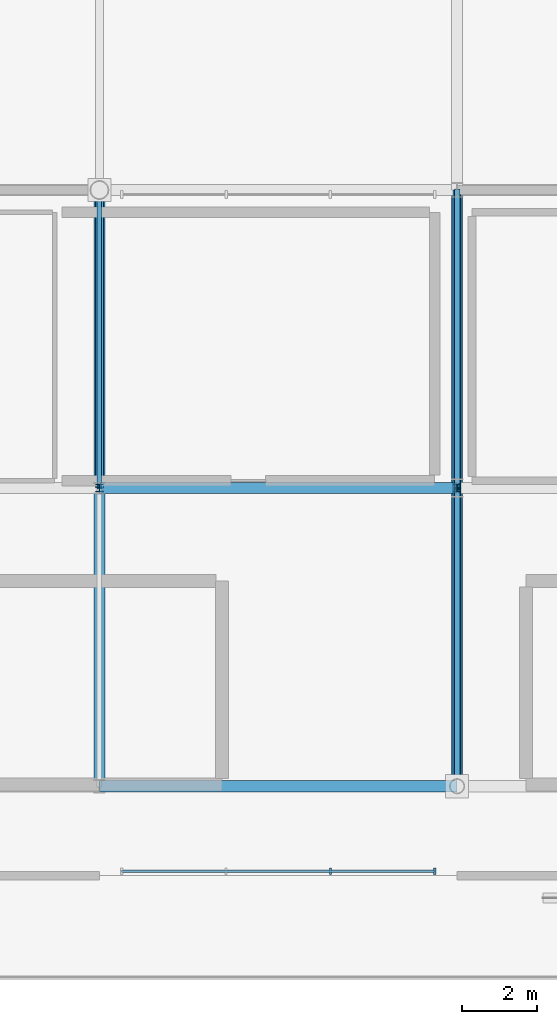
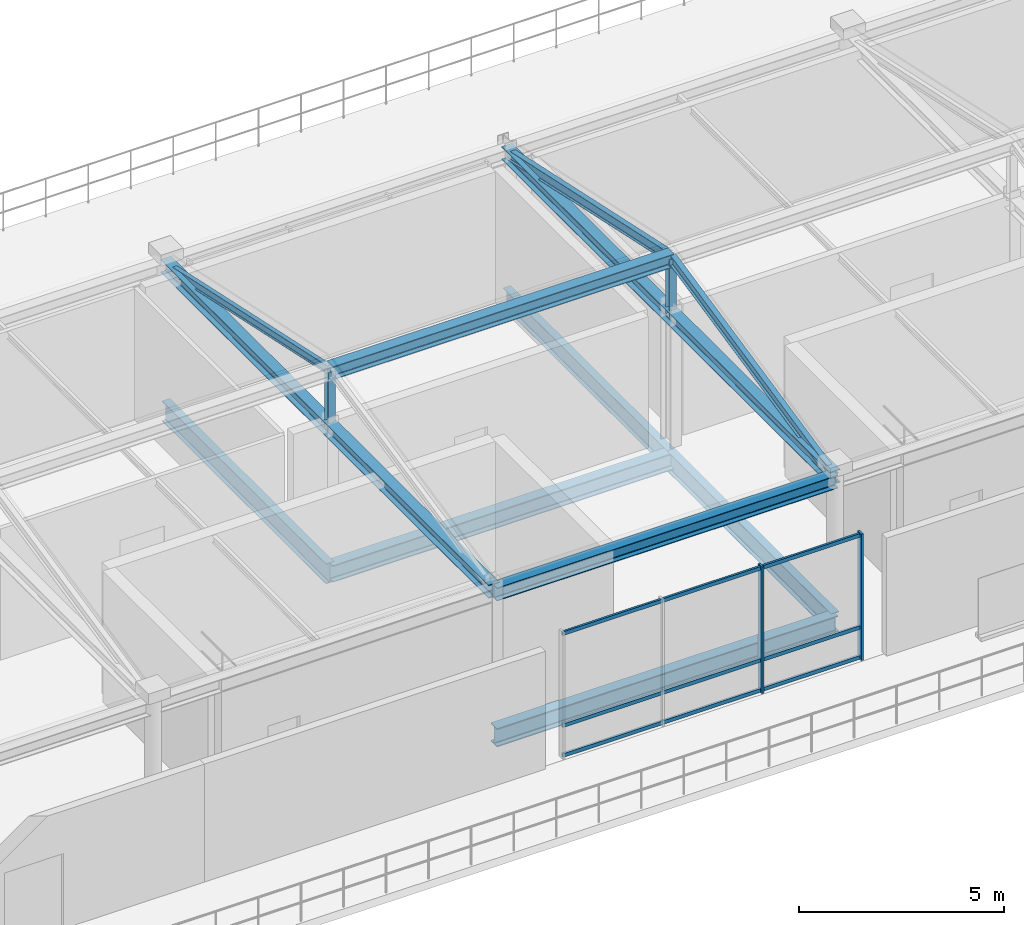
# One storey, part 8 of 26: 10 members, 9 beams, 1 element without a shape of its own.
"""IFC4 building model written with IfcOpenShell, lengths in metres."""

from ifc_helpers import new_model, si_unit, direction, frame, origin, origin_2d, place, context, subcontext, project, spatial, rectangle, i_section, extrude, material, material_profile, profile_set, type_object, element, aggregate, save


model = new_model("IFC4")

# Units and contexts
model_context = context("Model", 3, precision=1e-05, world=origin(), true_north=direction((0.0, 1.0)))
body_context = subcontext(model_context, "Body", "Model", "MODEL_VIEW")
ifc_project = project(units=[si_unit("LENGTHUNIT", "METRE"), si_unit("AREAUNIT", "SQUARE_METRE"), si_unit("VOLUMEUNIT", "CUBIC_METRE"), si_unit("PLANEANGLEUNIT", "RADIAN"), si_unit("MASSUNIT", "GRAM", prefix="KILO")], contexts=[model_context])

# Site, building, storey
site_placement = place(None, origin())
site = spatial("IfcSite", under=ifc_project, at=site_placement, CompositionType="ELEMENT")
building_placement = place(site_placement, origin())
building = spatial("IfcBuilding", under=site, at=building_placement, Name="Danafjord Basin Convention Centre", CompositionType="ELEMENT")
storey_placement = place(building_placement, frame((0.0, 0.0, 29.39990234375)))
storey = spatial("IfcBuildingStorey", under=building, at=storey_placement, Name="RF", CompositionType="ELEMENT", Elevation=29.39990234375)

# Beams
ifc_material_1 = material(Name="Steel S355", Category="steel")
ifc_material_profile_1 = material_profile(ifc_material_1, i_section(OverallWidth=0.300048828125, OverallDepth=0.389892578125, WebThickness=0.010986328125, FlangeThickness=0.01904296875, FilletRadius=0.027099609375, at=origin_2d()), Name="HEA 400")
ifc_profile_set_1 = profile_set([ifc_material_profile_1], Name="Steel S355")
beam_type_1 = type_object("IfcBeamType", Name="BEAM-BM-HEA400", PredefinedType="BEAM", material=ifc_profile_set_1)
for number, where, z_axis, x_axis, name in (
    (1, (57.60009765625, 16.0, 3.800048828125), (0.0, 1.0, 0.0), (-1.0, 0.0, 0.0), "Observatory transverse tie beam"),
    (2, (67.199951171875, 16.0, 3.800048828125), (0.0, 1.0, 0.0), (-1.0, 0.0, 0.0), "Observatory transverse tie beam"),
):
    element("IfcBeam", number, at=place(storey_placement, frame(where, z_axis=z_axis, x_axis=x_axis)), inside=storey, type_object=beam_type_1, Name=name, PredefinedType="BEAM", context=body_context, shape_type="SweptSolid", body=[
        extrude(i_section(OverallWidth=0.300048828125, OverallDepth=0.389892578125, WebThickness=0.010986328125, FlangeThickness=0.01904296875, FilletRadius=0.027099609375, at=origin_2d()), origin(), (0.0, 0.0, 1.0), 16.0),
    ])
for number, where, z_axis, x_axis, name in (
    (3, (57.60009765625, 16.0, 3.760009765625), (1.0, 0.0, 0.0), (0.0, 1.0, 0.0), "Observatory south eave girder"),
    (4, (57.60009765625, 24.0, 5.48974609375), (1.0, 0.0, 0.0), (0.0, 1.0, 0.0), "Observatory ridge beam"),
):
    element("IfcBeam", number, at=place(storey_placement, frame(where, z_axis=z_axis, x_axis=x_axis)), inside=storey, type_object=beam_type_1, Name=name, PredefinedType="BEAM", context=body_context, shape_type="SweptSolid", body=[
        extrude(i_section(OverallWidth=0.300048828125, OverallDepth=0.389892578125, WebThickness=0.010986328125, FlangeThickness=0.01904296875, FilletRadius=0.027099609375, at=origin_2d()), origin(), (0.0, 0.0, 1.0), 9.599853515625),
    ])
ifc_material_profile_2 = material_profile(ifc_material_1, i_section(OverallWidth=0.300048828125, OverallDepth=0.5, WebThickness=0.014404296875, FlangeThickness=0.028076171875, FilletRadius=0.027099609375, at=origin_2d()), Name="HEB 500")
ifc_profile_set_2 = profile_set([ifc_material_profile_2], Name="Steel S355")
beam_type_2 = type_object("IfcBeamType", Name="BEAM-BM-HEB500", PredefinedType="BEAM", material=ifc_profile_set_2)
beam_1_placement = place(storey_placement, frame((57.60009765625, 24.0, -0.47998046875), z_axis=(1.0, 0.0, 0.0), x_axis=(0.0, 1.0, 0.0)))
element("IfcBeam", 5, at=beam_1_placement, inside=storey, type_object=beam_type_2, Name="RF girder BM-HEB500", PredefinedType="BEAM", context=body_context, shape_type="SweptSolid", body=[
    extrude(i_section(OverallWidth=0.300048828125, OverallDepth=0.5, WebThickness=0.014404296875, FlangeThickness=0.028076171875, FilletRadius=0.027099609375, at=origin_2d()), origin(), (0.0, 0.0, 1.0), 9.599853515625),
])
ifc_material_profile_3 = material_profile(ifc_material_1, i_section(OverallWidth=0.300048828125, OverallDepth=0.550048828125, WebThickness=0.014892578125, FlangeThickness=0.029052734375, FilletRadius=0.027099609375, at=origin_2d()), Name="HEB 550")
ifc_profile_set_3 = profile_set([ifc_material_profile_3], Name="Steel S355")
beam_type_3 = type_object("IfcBeamType", Name="BEAM-BM-HEB550", PredefinedType="BEAM", material=ifc_profile_set_3)
beam_2_placement = place(storey_placement, frame((57.60009765625, 16.0, -0.5048828125), z_axis=(1.0, 0.0, 0.0), x_axis=(0.0, 1.0, 0.0)))
element("IfcBeam", 6, at=beam_2_placement, inside=storey, type_object=beam_type_3, Name="RF girder BM-HEB550", PredefinedType="BEAM", context=body_context, shape_type="SweptSolid", body=[
    extrude(i_section(OverallWidth=0.300048828125, OverallDepth=0.550048828125, WebThickness=0.014892578125, FlangeThickness=0.029052734375, FilletRadius=0.027099609375, at=origin_2d()), origin(), (0.0, 0.0, 1.0), 9.599853515625),
])
ifc_material_profile_4 = material_profile(ifc_material_1, i_section(OverallWidth=0.2099609375, OverallDepth=0.550048828125, WebThickness=0.010986328125, FlangeThickness=0.01708984375, FilletRadius=0.02392578125, at=origin_2d()), Name="IPE 550")
ifc_profile_set_4 = profile_set([ifc_material_profile_4], Name="Steel S355")
beam_type_4 = type_object("IfcBeamType", Name="BEAM-BM-IPE550", PredefinedType="BEAM", material=ifc_profile_set_4)
beam_3_placement = place(storey_placement, frame((67.199951171875, 24.0, -0.5048828125), z_axis=(0.0, 1.0, 0.0), x_axis=(-1.0, 0.0, 0.0)))
element("IfcBeam", 7, at=beam_3_placement, inside=storey, type_object=beam_type_4, Name="RF transverse girder BM-IPE550", PredefinedType="BEAM", context=body_context, shape_type="SweptSolid", body=[
    extrude(i_section(OverallWidth=0.2099609375, OverallDepth=0.550048828125, WebThickness=0.010986328125, FlangeThickness=0.01708984375, FilletRadius=0.02392578125, at=origin_2d()), origin(), (0.0, 0.0, 1.0), 8.0),
])
ifc_material_profile_5 = material_profile(ifc_material_1, i_section(OverallWidth=0.219970703125, OverallDepth=0.60009765625, WebThickness=0.011962890625, FlangeThickness=0.01904296875, FilletRadius=0.02392578125, at=origin_2d()), Name="IPE 600")
ifc_profile_set_5 = profile_set([ifc_material_profile_5], Name="Steel S355")
beam_type_5 = type_object("IfcBeamType", Name="BEAM-BM-IPE600", PredefinedType="BEAM", material=ifc_profile_set_5)
for number, where, z_axis, x_axis, name in (
    (8, (57.60009765625, 24.0, -0.52978515625), (0.0, 1.0, 0.0), (-1.0, 0.0, 0.0), "RF transverse girder BM-IPE600"),
    (9, (67.199951171875, 16.0, -0.52978515625), (0.0, 1.0, 0.0), (-1.0, 0.0, 0.0), "RF transverse girder BM-IPE600"),
):
    element("IfcBeam", number, at=place(storey_placement, frame(where, z_axis=z_axis, x_axis=x_axis)), inside=storey, type_object=beam_type_5, Name=name, PredefinedType="BEAM", context=body_context, shape_type="SweptSolid", body=[
        extrude(i_section(OverallWidth=0.219970703125, OverallDepth=0.60009765625, WebThickness=0.011962890625, FlangeThickness=0.01904296875, FilletRadius=0.02392578125, at=origin_2d()), origin(), (0.0, 0.0, 1.0), 8.0),
    ])

# Curtain wall, members
ifc_material_2 = material(Name="Anodised aluminium and triple glazing", Category="aluminium")
curtain_wall_type = type_object("IfcCurtainWallType", Name="CW-CW-TERR", PredefinedType="NOTDEFINED", material=ifc_material_2)
curtain_wall_placement = place(storey_placement, origin())
curtain_wall = element("IfcCurtainWall", 10, at=curtain_wall_placement, inside=storey, type_object=curtain_wall_type, Name="RF CW-TERR unitised curtain wall bay 111", PredefinedType="NOTDEFINED")
ifc_material_3 = material(Name="Anodised aluminium EN AW-6060", Category="aluminium")
ifc_material_profile_6 = material_profile(ifc_material_3, rectangle(XDim=0.06005859375, YDim=0.179931640625, at=origin_2d()), Name="MULL 60x180")
ifc_profile_set_6 = profile_set([ifc_material_profile_6], Name="Anodised aluminium EN AW-6060")
member_type_1 = type_object("IfcMemberType", Name="MEM-ML-180", PredefinedType="MULLION", material=ifc_profile_set_6)
member_1_placement = place(storey_placement, frame((63.800048828125, 13.719970703125, -0.02490234375), z_axis=(0.0, 0.0, 1.0), x_axis=(1.0, 0.0, 0.0)))
member_1 = element("IfcMember", 11, at=member_1_placement, type_object=member_type_1, Name="CW-RF-111 mullion 3", PredefinedType="MULLION", context=body_context, shape_type="SweptSolid", body=[
    extrude(rectangle(XDim=0.06005859375, YDim=0.179931640625, at=origin_2d()), origin(), (0.0, 0.0, 1.0), 3.784912109375),
])
member_2_placement = place(storey_placement, frame((66.60009765625, 13.719970703125, -0.02490234375), z_axis=(0.0, 0.0, 1.0), x_axis=(1.0, 0.0, 0.0)))
member_2 = element("IfcMember", 12, at=member_2_placement, type_object=member_type_1, Name="CW-RF-111 mullion 4", PredefinedType="MULLION", context=body_context, shape_type="SweptSolid", body=[
    extrude(rectangle(XDim=0.06005859375, YDim=0.179931640625, at=origin_2d()), origin(), (0.0, 0.0, 1.0), 3.784912109375),
])

# Members
ifc_material_profile_7 = material_profile(ifc_material_1, i_section(OverallWidth=0.1201171875, OverallDepth=0.239990234375, WebThickness=0.006103515625, FlangeThickness=0.009765625, FilletRadius=0.014892578125, at=origin_2d()), Name="IPE 240")
ifc_profile_set_7 = profile_set([ifc_material_profile_7], Name="Steel S355")
member_type_2 = type_object("IfcMemberType", Name="MEM-RF-IPE240", PredefinedType="RAFTER", material=ifc_profile_set_7)
member_3_placement = place(storey_placement, frame((57.60009765625, 32.0, 3.780029296875), z_axis=(0.0, -0.977413998917, 0.211333562693), x_axis=(1.0, 0.0, 0.0)))
element("IfcMember", 13, at=member_3_placement, inside=storey, type_object=member_type_2, Name="Observatory pitched roof rafter", PredefinedType="RAFTER", context=body_context, shape_type="SweptSolid", body=[
    extrude(i_section(OverallWidth=0.1201171875, OverallDepth=0.239990234375, WebThickness=0.006103515625, FlangeThickness=0.009765625, FilletRadius=0.014892578125, at=origin_2d()), origin(), (0.0, 0.0, 1.0), 8.184814453125),
])
ifc_material_profile_8 = material_profile(ifc_material_1, i_section(OverallWidth=0.14990234375, OverallDepth=0.300048828125, WebThickness=0.007080078125, FlangeThickness=0.0107421875, FilletRadius=0.014892578125, at=origin_2d()), Name="IPE 300")
ifc_profile_set_8 = profile_set([ifc_material_profile_8], Name="Steel S355")
member_type_3 = type_object("IfcMemberType", Name="MEM-RF-IPE300", PredefinedType="RAFTER", material=ifc_profile_set_8)
for number, where, z_axis, x_axis, name in (
    (14, (67.199951171875, 16.0, 3.780029296875), (0.0, 0.977413998917, 0.211333562693), (-1.0, 0.0, 0.0), "Observatory pitched roof rafter"),
    (15, (67.199951171875, 32.0, 3.780029296875), (0.0, -0.977413998917, 0.211333562693), (1.0, 0.0, 0.0), "Observatory pitched roof rafter"),
):
    element("IfcMember", number, at=place(storey_placement, frame(where, z_axis=z_axis, x_axis=x_axis)), inside=storey, type_object=member_type_3, Name=name, PredefinedType="RAFTER", context=body_context, shape_type="SweptSolid", body=[
        extrude(i_section(OverallWidth=0.14990234375, OverallDepth=0.300048828125, WebThickness=0.007080078125, FlangeThickness=0.0107421875, FilletRadius=0.014892578125, at=origin_2d()), origin(), (0.0, 0.0, 1.0), 8.184814453125),
    ])
ifc_material_profile_9 = material_profile(ifc_material_1, i_section(OverallWidth=0.199951171875, OverallDepth=0.199951171875, WebThickness=0.009033203125, FlangeThickness=0.014892578125, FilletRadius=0.01806640625, at=origin_2d()), Name="HEB 200")
ifc_profile_set_9 = profile_set([ifc_material_profile_9], Name="Steel S355")
member_type_4 = type_object("IfcMemberType", Name="MEM-ST-HEB200", PredefinedType="STRUT", material=ifc_profile_set_9)
for number, where, z_axis, x_axis, name in (
    (16, (57.60009765625, 24.0, 3.800048828125), (0.0, 0.0, 1.0), (1.0, 0.0, 0.0), "Observatory ridge king-post"),
    (17, (67.199951171875, 24.0, 3.800048828125), (0.0, 0.0, 1.0), (1.0, 0.0, 0.0), "Observatory ridge king-post"),
):
    element("IfcMember", number, at=place(storey_placement, frame(where, z_axis=z_axis, x_axis=x_axis)), inside=storey, type_object=member_type_4, Name=name, PredefinedType="STRUT", context=body_context, shape_type="SweptSolid", body=[
        extrude(i_section(OverallWidth=0.199951171875, OverallDepth=0.199951171875, WebThickness=0.009033203125, FlangeThickness=0.014892578125, FilletRadius=0.01806640625, at=origin_2d()), origin(), (0.0, 0.0, 1.0), 1.709716796875),
    ])

# Member
ifc_material_profile_10 = material_profile(ifc_material_3, rectangle(XDim=0.06005859375, YDim=0.110107421875, at=origin_2d()), Name="TRAN 60x110")
ifc_profile_set_10 = profile_set([ifc_material_profile_10], Name="Anodised aluminium EN AW-6060")
member_type_5 = type_object("IfcMemberType", Name="MEM-TR-110", PredefinedType="USERDEFINED", material=ifc_profile_set_10)
member_4_placement = place(storey_placement, frame((58.199951171875, 13.719970703125, 0.06005859375), z_axis=(1.0, 0.0, 0.0), x_axis=(0.0, 1.0, 0.0)))
member_4 = element("IfcMember", 18, at=member_4_placement, type_object=member_type_5, Name="CW-RF-111 transom 1", ObjectType="TRANSOM", PredefinedType="USERDEFINED", context=body_context, shape_type="SweptSolid", body=[
    extrude(rectangle(XDim=0.06005859375, YDim=0.110107421875, at=origin_2d()), origin(), (0.0, 0.0, 1.0), 8.400146484375),
])

member_5_placement = place(storey_placement, frame((58.199951171875, 13.719970703125, 0.9501953125), z_axis=(1.0, 0.0, 0.0), x_axis=(0.0, 1.0, 0.0)))
member_5 = element("IfcMember", 19, at=member_5_placement, type_object=member_type_5, Name="CW-RF-111 transom 2", ObjectType="TRANSOM", PredefinedType="USERDEFINED", context=body_context, shape_type="SweptSolid", body=[
    extrude(rectangle(XDim=0.06005859375, YDim=0.110107421875, at=origin_2d()), origin(), (0.0, 0.0, 1.0), 8.400146484375),
])

member_6_placement = place(storey_placement, frame((58.199951171875, 13.719970703125, 3.690185546875), z_axis=(1.0, 0.0, 0.0), x_axis=(0.0, 1.0, 0.0)))
member_6 = element("IfcMember", 20, at=member_6_placement, type_object=member_type_5, Name="CW-RF-111 transom 3", ObjectType="TRANSOM", PredefinedType="USERDEFINED", context=body_context, shape_type="SweptSolid", body=[
    extrude(rectangle(XDim=0.06005859375, YDim=0.110107421875, at=origin_2d()), origin(), (0.0, 0.0, 1.0), 8.400146484375),
])

aggregate(curtain_wall, [member_1, member_2, member_4, member_5, member_6])

save(model, "model.ifc")
